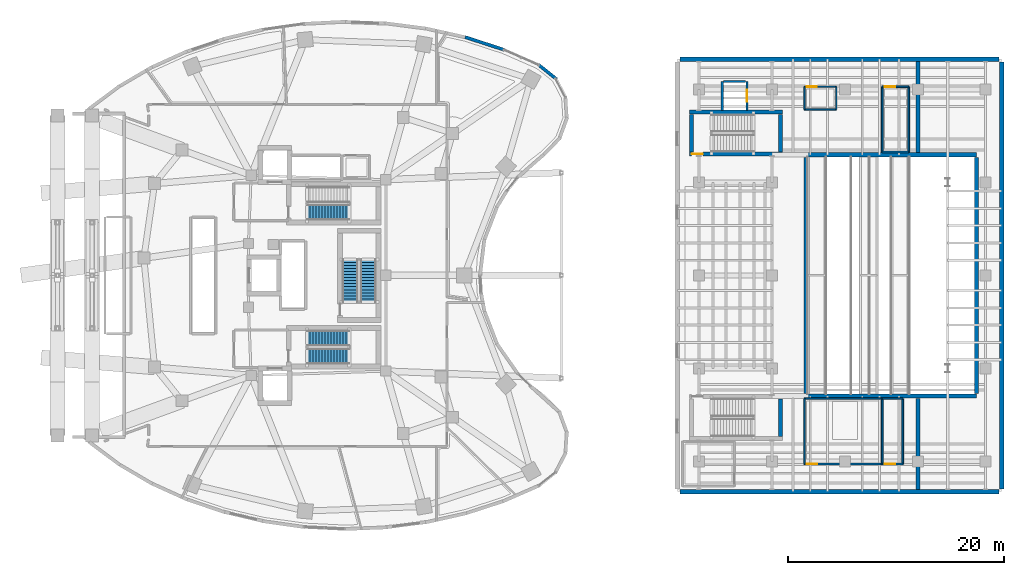
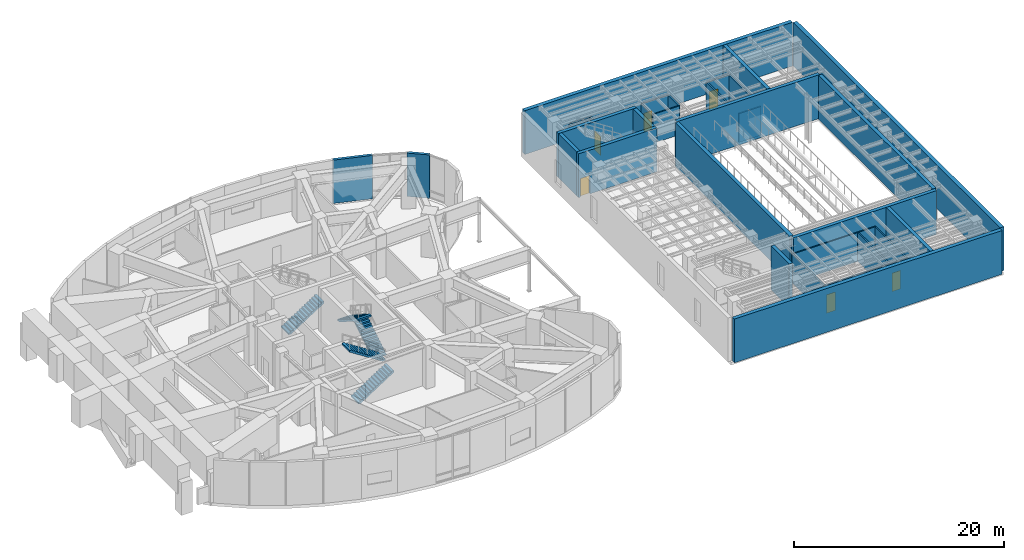
# One storey, part 18 of 23: 34 walls, 6 doors, 5 stair flights, 6 openings, 3 elements without a shape of their own.
"""IFC4 building model written with IfcOpenShell, lengths in metres."""

from ifc_helpers import new_model, si_unit, direction, frame, frame_2d, origin, place, context, subcontext, project, spatial, polyline, rectangle, outline, extrude, material, layer, layer_set, type_object, element, fill, aggregate, save


model = new_model("IFC4")

# Units and contexts
model_context = context("Model", 3, precision=1e-05, world=origin(), true_north=direction((0.0, 1.0)))
body_context = subcontext(model_context, "Body", "Model", "MODEL_VIEW")
ifc_project = project(units=[si_unit("LENGTHUNIT", "METRE"), si_unit("AREAUNIT", "SQUARE_METRE"), si_unit("VOLUMEUNIT", "CUBIC_METRE"), si_unit("PLANEANGLEUNIT", "RADIAN"), si_unit("MASSUNIT", "GRAM", prefix="KILO")], contexts=[model_context])

# Site, building, storey
site_placement = place(None, origin())
site = spatial("IfcSite", under=ifc_project, at=site_placement, CompositionType="ELEMENT")
building_placement = place(site_placement, origin())
building = spatial("IfcBuilding", under=site, at=building_placement, Name="Korentha Bioscience Tower", CompositionType="ELEMENT")
storey_placement = place(building_placement, frame((0.0, 0.0, 15.0)))
storey = spatial("IfcBuildingStorey", under=building, at=storey_placement, Name="L03", CompositionType="ELEMENT", Elevation=15.0)

# Wall, opening, door
ifc_material_1 = material(Name="Double-Stud Acoustic Gypsum", Category="gypsum")
ifc_layer_1 = layer(ifc_material_1, 0.14990234375, Name="Double-Stud Acoustic Gypsum")
ifc_layer_set_1 = layer_set([ifc_layer_1], Name="Double-Stud Acoustic Gypsum (IW-L150)")
wall_type_1 = type_object("IfcWallType", Name="Acoustic Laboratory Partition Wall 150", PredefinedType="PARTITIONING", material=ifc_layer_set_1)
wall_1_placement = place(storey_placement, frame((83.449951171875, 9.56005859375, 0.0), z_axis=(0.0, 0.0, 1.0), x_axis=(-1.0, 0.0, 0.0)))
wall_1 = element("IfcWall", 1, at=wall_1_placement, inside=storey, type_object=wall_type_1, Name="L03 L03 Soloists' Dressing Suite Entrance Wall", PredefinedType="PARTITIONING", context=body_context, shape_type="SweptSolid", body=[
    extrude(rectangle(XDim=7.199951171875, YDim=0.14990234375, at=frame_2d((3.60009765625, 0.0))), origin(), (0.0, 0.0, 1.0), 3.360107421875),
])
opening_1_placement = place(wall_1_placement, frame((6.010009765625, 0.0, 0.0)))
opening_1 = element("IfcOpeningElement", 2, at=opening_1_placement, cuts=wall_1, Name="Opening ID-10R", PredefinedType="OPENING", context=body_context, shape_type="SweptSolid", body=[
    extrude(rectangle(XDim=0.949951171875, YDim=2.14990234375, at=frame_2d((0.47509765625, 1.074951171875))), frame((0.0, 0.08984375, 0.0), z_axis=(0.0, -1.0, 0.0), x_axis=(1.0, 0.0, 0.0)), (0.0, 0.0, 1.0), 0.1796875),
])
ifc_material_2 = material(Name="Phenolic Laminate Timber Core", Category="wood")
door_type_1 = type_object("IfcDoorType", Name="Laboratory Single Leaf Door 950x2150 Right", OperationType="SINGLE_SWING_RIGHT", PredefinedType="DOOR", material=ifc_material_2)
door_1_placement = place(opening_1_placement, origin())
door_1 = element("IfcDoor", 3, at=door_1_placement, inside=storey, type_object=door_type_1, Name="L03 L03 Soloists' Dressing Suite Door", OperationType="SINGLE_SWING_RIGHT", OverallHeight=2.14990234375, OverallWidth=0.949951171875, PredefinedType="DOOR", context=body_context, shape_type="SweptSolid", body=[
    extrude(rectangle(XDim=0.949951171875, YDim=2.14990234375, at=frame_2d((0.47509765625, 1.074951171875))), frame((0.0, 0.02490234375, 0.0), z_axis=(0.0, -1.0, 0.0), x_axis=(1.0, 0.0, 0.0)), (0.0, 0.0, 1.0), 0.050048828125),
])
fill(opening_1, door_1)

wall_2_placement = place(storey_placement, frame((85.35009765625, 9.56005859375, 0.0), z_axis=(0.0, 0.0, 1.0), x_axis=(-1.0, 0.0, 0.0)))
wall_2 = element("IfcWall", 4, at=wall_2_placement, inside=storey, type_object=wall_type_1, Name="L03 L03 Ensemble Rehearsal Studio Entrance Wall", PredefinedType="PARTITIONING", context=body_context, shape_type="SweptSolid", body=[
    extrude(rectangle(XDim=1.89013671875, YDim=0.14990234375, at=frame_2d((0.945068359375, 0.0))), origin(), (0.0, 0.0, 1.0), 3.360107421875),
])
opening_2_placement = place(wall_2_placement, frame((0.699951171875, 0.0, 0.0)))
opening_2 = element("IfcOpeningElement", 5, at=opening_2_placement, cuts=wall_2, Name="Opening ID-10L", PredefinedType="OPENING", context=body_context, shape_type="SweptSolid", body=[
    extrude(rectangle(XDim=0.949951171875, YDim=2.14990234375, at=frame_2d((0.47509765625, 1.074951171875))), frame((0.0, 0.08984375, 0.0), z_axis=(0.0, -1.0, 0.0), x_axis=(1.0, 0.0, 0.0)), (0.0, 0.0, 1.0), 0.1796875),
])
door_type_2 = type_object("IfcDoorType", Name="Laboratory Single Leaf Door 950x2150 Left", OperationType="SINGLE_SWING_LEFT", PredefinedType="DOOR", material=ifc_material_2)
door_2_placement = place(opening_2_placement, origin())
door_2 = element("IfcDoor", 6, at=door_2_placement, inside=storey, type_object=door_type_2, Name="L03 L03 Ensemble Rehearsal Studio Door", OperationType="SINGLE_SWING_LEFT", OverallHeight=2.14990234375, OverallWidth=0.949951171875, PredefinedType="DOOR", context=body_context, shape_type="SweptSolid", body=[
    extrude(rectangle(XDim=0.949951171875, YDim=2.14990234375, at=frame_2d((0.47509765625, 1.074951171875))), frame((0.0, 0.02490234375, 0.0), z_axis=(0.0, -1.0, 0.0), x_axis=(1.0, 0.0, 0.0)), (0.0, 0.0, 1.0), 0.050048828125),
])
fill(opening_2, door_2)

# Walls
for number, where, z_axis, x_axis, name in (
    (7, (83.449951171875, 15.60009765625, 0.0), (0.0, 0.0, 1.0), (0.0, -1.0, 0.0), "L03 Interior Partition 047"),
    (8, (76.25, 9.56005859375, 0.0), (0.0, 0.0, 1.0), (0.0, 1.0, 0.0), "L03 Interior Partition 048"),
):
    element("IfcWall", number, at=place(storey_placement, frame(where, z_axis=z_axis, x_axis=x_axis)), inside=storey, type_object=wall_type_1, Name=name, PredefinedType="PARTITIONING", context=body_context, shape_type="SweptSolid", body=[
        extrude(rectangle(XDim=6.0400390625, YDim=0.14990234375, at=frame_2d((3.02001953125, 0.0))), origin(), (0.0, 0.0, 1.0), 3.360107421875),
    ])
wall_3_placement = place(storey_placement, frame((76.25, 15.60009765625, 0.0), z_axis=(0.0, 0.0, 1.0), x_axis=(1.0, 0.0, 0.0)))
element("IfcWall", 9, at=wall_3_placement, inside=storey, type_object=wall_type_1, Name="L03 Interior Partition 049", PredefinedType="PARTITIONING", context=body_context, shape_type="SweptSolid", body=[
    extrude(rectangle(XDim=7.199951171875, YDim=0.14990234375, at=frame_2d((3.60009765625, 0.0))), origin(), (0.0, 0.0, 1.0), 3.360107421875),
])
wall_4_placement = place(storey_placement, frame((85.35009765625, 15.60009765625, 0.0), z_axis=(0.0, 0.0, 1.0), x_axis=(0.0, -1.0, 0.0)))
element("IfcWall", 10, at=wall_4_placement, inside=storey, type_object=wall_type_1, Name="L03 Interior Partition 050", PredefinedType="PARTITIONING", context=body_context, shape_type="SweptSolid", body=[
    extrude(rectangle(XDim=6.0400390625, YDim=0.14990234375, at=frame_2d((3.02001953125, 0.0))), origin(), (0.0, 0.0, 1.0), 3.360107421875),
])
wall_5_placement = place(storey_placement, frame((83.4599609375, 15.60009765625, 0.0), z_axis=(0.0, 0.0, 1.0), x_axis=(1.0, 0.0, 0.0)))
element("IfcWall", 11, at=wall_5_placement, inside=storey, type_object=wall_type_1, Name="L03 Interior Partition 051", PredefinedType="PARTITIONING", context=body_context, shape_type="SweptSolid", body=[
    extrude(rectangle(XDim=1.89013671875, YDim=0.14990234375, at=frame_2d((0.945068359375, 0.0))), origin(), (0.0, 0.0, 1.0), 3.360107421875),
])

# Wall, opening, door
ifc_material_3 = material(Name="Gypsum-Clad Steel Stud", Category="steel")
ifc_layer_2 = layer(ifc_material_3, 0.159912109375, Name="Gypsum-Clad Steel Stud")
ifc_layer_set_2 = layer_set([ifc_layer_2], Name="Gypsum-Clad Steel Stud (IW-C160)")
wall_type_2 = type_object("IfcWallType", Name="Fire-Rated Corridor Partition Wall 160", PredefinedType="PARTITIONING", material=ifc_layer_set_2)
wall_6_placement = place(storey_placement, frame((83.449951171875, 44.43994140625, 0.0), z_axis=(0.0, 0.0, 1.0), x_axis=(1.0, 0.0, 0.0)))
wall_6 = element("IfcWall", 12, at=wall_6_placement, inside=storey, type_object=wall_type_2, Name="L03 L03 Stage Lighting Dimmer Store Entrance Wall", PredefinedType="PARTITIONING", context=body_context, shape_type="SweptSolid", body=[
    extrude(rectangle(XDim=2.449951171875, YDim=0.159912109375, at=frame_2d((1.22509765625, 0.0))), origin(), (0.0, 0.0, 1.0), 3.360107421875),
])
opening_3_placement = place(wall_6_placement, frame((0.239990234375, 0.0, 0.0)))
opening_3 = element("IfcOpeningElement", 13, at=opening_3_placement, cuts=wall_6, Name="Opening ID-10R", PredefinedType="OPENING", context=body_context, shape_type="SweptSolid", body=[
    extrude(rectangle(XDim=0.949951171875, YDim=2.14990234375, at=frame_2d((0.47509765625, 1.074951171875))), frame((0.0, 0.0947265625, 0.0), z_axis=(0.0, -1.0, 0.0), x_axis=(1.0, 0.0, 0.0)), (0.0, 0.0, 1.0), 0.189697265625),
])
door_3_placement = place(opening_3_placement, origin())
door_3 = element("IfcDoor", 14, at=door_3_placement, inside=storey, type_object=door_type_1, Name="L03 L03 Stage Lighting Dimmer Store Door", OperationType="SINGLE_SWING_RIGHT", OverallHeight=2.14990234375, OverallWidth=0.949951171875, PredefinedType="DOOR", context=body_context, shape_type="SweptSolid", body=[
    extrude(rectangle(XDim=0.949951171875, YDim=2.14990234375, at=frame_2d((0.47509765625, 1.074951171875))), frame((0.0, 0.02490234375, 0.0), z_axis=(0.0, -1.0, 0.0), x_axis=(1.0, 0.0, 0.0)), (0.0, 0.0, 1.0), 0.050048828125),
])
fill(opening_3, door_3)

# Walls
wall_7_placement = place(storey_placement, frame((85.89990234375, 38.39990234375, 0.0), z_axis=(0.0, 0.0, 1.0), x_axis=(-1.0, 0.0, 0.0)))
element("IfcWall", 15, at=wall_7_placement, inside=storey, type_object=wall_type_2, Name="L03 Interior Partition 052", PredefinedType="PARTITIONING", context=body_context, shape_type="SweptSolid", body=[
    extrude(rectangle(XDim=2.449951171875, YDim=0.159912109375, at=frame_2d((1.22509765625, 0.0))), origin(), (0.0, 0.0, 1.0), 3.360107421875),
])
for number, where, z_axis, x_axis, name in (
    (16, (83.449951171875, 38.39990234375, 0.0), (0.0, 0.0, 1.0), (0.0, 1.0, 0.0), "L03 Interior Partition 053"),
    (17, (85.89990234375, 44.43994140625, 0.0), (0.0, 0.0, 1.0), (0.0, -1.0, 0.0), "L03 Interior Partition 054"),
):
    element("IfcWall", number, at=place(storey_placement, frame(where, z_axis=z_axis, x_axis=x_axis)), inside=storey, type_object=wall_type_2, Name=name, PredefinedType="PARTITIONING", context=body_context, shape_type="SweptSolid", body=[
        extrude(rectangle(XDim=6.0400390625, YDim=0.159912109375, at=frame_2d((3.02001953125, 0.0))), origin(), (0.0, 0.0, 1.0), 3.360107421875),
    ])
ifc_material_4 = material(Name="Honed Limestone Precast Concrete C40", Category="masonry")
ifc_layer_3 = layer(ifc_material_4, 0.300048828125, Name="Honed Limestone Precast Concrete C40")
ifc_layer_set_3 = layer_set([ifc_layer_3], Name="Honed Limestone Precast Concrete C40 (EW-ST300)")
wall_type_3 = type_object("IfcWallType", Name="Honed Limestone Cavity Spandrel Wall 300", PredefinedType="STANDARD", material=ifc_layer_set_3)
wall_8_placement = place(storey_placement, frame((48.524658203125, 47.84912109375, 0.0), z_axis=(0.0, 0.0, 1.0), x_axis=(-0.950965833732, 0.309295947393, 0.0)))
element("IfcWall", 18, at=wall_8_placement, inside=storey, type_object=wall_type_3, Name="L03 Limestone Perimeter Closure Wall 02", PredefinedType="STANDARD", context=body_context, shape_type="SweptSolid", body=[
    extrude(rectangle(XDim=3.840087890625, YDim=0.300048828125, at=frame_2d((1.919921875, 0.0))), origin(), (0.0, 0.0, 1.0), 5.050048828125),
])
wall_9_placement = place(storey_placement, frame((53.343994140625, 45.142822265625, 0.0), z_axis=(0.0, 0.0, 1.0), x_axis=(-0.782282158644, 0.622924252432, 0.0)))
element("IfcWall", 19, at=wall_9_placement, inside=storey, type_object=wall_type_3, Name="L03 Limestone Perimeter Closure Wall 62", PredefinedType="STANDARD", context=body_context, shape_type="SweptSolid", body=[
    extrude(rectangle(XDim=2.187744140625, YDim=0.300048828125, at=frame_2d((1.09375, 0.0))), origin(), (0.0, 0.0, 1.0), 5.050048828125),
])
ifc_material_5 = material(Name="Autoclaved Aerated Concrete Block C25", Category="concrete")
ifc_layer_4 = layer(ifc_material_5, 0.199951171875, Name="Autoclaved Aerated Concrete Block C25")
ifc_layer_set_4 = layer_set([ifc_layer_4], Name="Autoclaved Aerated Concrete Block C25 (IW-S200)")
wall_type_4 = type_object("IfcWallType", Name="Lift and Riser Shaft Enclosure Wall 200", PredefinedType="PARTITIONING", material=ifc_layer_set_4)
wall_10_placement = place(storey_placement, frame((68.659912109375, 42.260009765625, 0.0), z_axis=(0.0, 0.0, 1.0), x_axis=(0.0, 1.0, 0.0)))
element("IfcWall", 20, at=wall_10_placement, inside=storey, type_object=wall_type_4, Name="L03 Lift Bank LT1 Shaft Wall -X", PredefinedType="PARTITIONING", context=body_context, shape_type="SweptSolid", body=[
    extrude(rectangle(XDim=2.679931640625, YDim=0.199951171875, at=frame_2d((1.33984375, 0.0))), origin(), (0.0, 0.0, 1.0), 3.360107421875),
])

# Wall, opening, door
wall_11_placement = place(storey_placement, frame((70.93994140625, 42.260009765625, 0.0), z_axis=(0.0, 0.0, 1.0), x_axis=(0.0, 1.0, 0.0)))
wall_11 = element("IfcWall", 21, at=wall_11_placement, inside=storey, type_object=wall_type_4, Name="L03 Lift Bank LT1 Shaft Wall +X", PredefinedType="PARTITIONING", context=body_context, shape_type="SweptSolid", body=[
    extrude(rectangle(XDim=2.679931640625, YDim=0.199951171875, at=frame_2d((1.33984375, 0.0))), origin(), (0.0, 0.0, 1.0), 3.360107421875),
])
opening_4_placement = place(wall_11_placement, frame((0.7900390625, 0.0, 0.0)))
opening_4 = element("IfcOpeningElement", 22, at=opening_4_placement, cuts=wall_11, Name="Opening LD-11", PredefinedType="OPENING", context=body_context, shape_type="SweptSolid", body=[
    extrude(rectangle(XDim=1.10009765625, YDim=2.199951171875, at=frame_2d((0.550048828125, 1.10009765625))), frame((0.0, 0.11474609375, 0.0), z_axis=(0.0, -1.0, 0.0), x_axis=(1.0, 0.0, 0.0)), (0.0, 0.0, 1.0), 0.229736328125),
])
ifc_material_6 = material(Name="Brushed Stainless Steel 304", Category="steel")
door_type_3 = type_object("IfcDoorType", Name="Passenger Lift Sliding Landing Door 1100x2200", OperationType="DOUBLE_DOOR_SLIDING", PredefinedType="DOOR", material=ifc_material_6)
door_4_placement = place(opening_4_placement, origin())
door_4 = element("IfcDoor", 23, at=door_4_placement, inside=storey, type_object=door_type_3, Name="L03 LT-1 Sliding Lift Landing Door", OperationType="DOUBLE_DOOR_SLIDING", OverallHeight=2.199951171875, OverallWidth=1.10009765625, PredefinedType="DOOR", context=body_context, shape_type="SweptSolid", body=[
    extrude(rectangle(XDim=1.10009765625, YDim=2.199951171875, at=frame_2d((0.550048828125, 1.10009765625))), frame((0.0, 0.02490234375, 0.0), z_axis=(0.0, -1.0, 0.0), x_axis=(1.0, 0.0, 0.0)), (0.0, 0.0, 1.0), 0.050048828125),
])
fill(opening_4, door_4)

# Walls
wall_12_placement = place(storey_placement, frame((68.780029296875, 44.93994140625, 0.0), z_axis=(0.0, 0.0, 1.0), x_axis=(1.0, 0.0, 0.0)))
element("IfcWall", 24, at=wall_12_placement, inside=storey, type_object=wall_type_4, Name="L03 Lift Bank LT1 Shaft Wall +Y", PredefinedType="PARTITIONING", context=body_context, shape_type="SweptSolid", body=[
    extrude(rectangle(XDim=2.0400390625, YDim=0.199951171875, at=frame_2d((1.02001953125, 0.0))), origin(), (0.0, 0.0, 1.0), 3.360107421875),
])
ifc_material_7 = material(Name="Concrete C50", Category="concrete")
ifc_layer_5 = layer(ifc_material_7, 0.419921875, Name="Concrete C50")
ifc_layer_set_5 = layer_set([ifc_layer_5], Name="Concrete C50 (TW-E420)")
wall_type_5 = type_object("IfcWallType", Name="Theatre Acoustic Shear Wall 420", PredefinedType="SHEAR", material=ifc_layer_set_5)
wall_13_placement = place(storey_placement, frame((64.75, 47.0, 0.0), z_axis=(0.0, 0.0, 1.0), x_axis=(1.0, 0.0, 0.0)))
element("IfcWall", 25, at=wall_13_placement, inside=storey, type_object=wall_type_5, Name="L03 Theatre Acoustic Shear Wall N", PredefinedType="SHEAR", context=body_context, shape_type="SweptSolid", body=[
    extrude(rectangle(XDim=29.5, YDim=0.419921875, at=frame_2d((14.75, 0.0))), origin(), (0.0, 0.0, 1.0), 5.10009765625),
])
wall_14_placement = place(storey_placement, frame((94.5, 46.75, 0.0), z_axis=(0.0, 0.0, 1.0), x_axis=(0.0, -1.0, 0.0)))
element("IfcWall", 26, at=wall_14_placement, inside=storey, type_object=wall_type_5, Name="L03 Theatre Acoustic Shear Wall E", PredefinedType="SHEAR", context=body_context, shape_type="SweptSolid", body=[
    extrude(rectangle(XDim=39.5, YDim=0.419921875, at=frame_2d((19.75, 0.0))), origin(), (0.0, 0.0, 1.0), 5.10009765625),
])
wall_15_placement = place(storey_placement, frame((94.25, 7.0, 0.0), z_axis=(0.0, 0.0, 1.0), x_axis=(-1.0, 0.0, 0.0)))
element("IfcWall", 27, at=wall_15_placement, inside=storey, type_object=wall_type_5, Name="L03 Theatre Acoustic Shear Wall S", PredefinedType="SHEAR", context=body_context, shape_type="SweptSolid", body=[
    extrude(rectangle(XDim=29.5, YDim=0.419921875, at=frame_2d((14.75, 0.0))), origin(), (0.0, 0.0, 1.0), 5.10009765625),
])
ifc_layer_6 = layer(ifc_material_7, 0.3798828125, Name="Concrete C50")
ifc_layer_set_6 = layer_set([ifc_layer_6], Name="Concrete C50 (TW-I380)")
wall_type_6 = type_object("IfcWallType", Name="Theatre Proscenium Shear Wall 380", PredefinedType="SHEAR", material=ifc_layer_set_6)
for number, where, z_axis, x_axis, name in (
    (28, (86.75, 38.3798828125, 0.0), (0.0, 0.0, 1.0), (0.0, 1.0, 0.0), "L03 Theatre Shear Wall PROSC-N"),
    (29, (86.75, 7.2099609375, 0.0), (0.0, 0.0, 1.0), (0.0, 1.0, 0.0), "L03 Theatre Shear Wall PROSC-S"),
):
    element("IfcWall", number, at=place(storey_placement, frame(where, z_axis=z_axis, x_axis=x_axis)), inside=storey, type_object=wall_type_6, Name=name, PredefinedType="SHEAR", context=body_context, shape_type="SweptSolid", body=[
        extrude(rectangle(XDim=8.41015625, YDim=0.3798828125, at=frame_2d((4.205078125, 0.0))), origin(), (0.0, 0.0, 1.0), 5.10009765625),
    ])
for number, where, z_axis, x_axis, name in (
    (30, (76.39990234375, 15.85009765625, 0.0), (0.0, 0.0, 1.0), (1.0, 0.0, 0.0), "L03 Theatre Shear Wall ACSH-S1"),
    (31, (76.39990234375, 38.14990234375, 0.0), (0.0, 0.0, 1.0), (1.0, 0.0, 0.0), "L03 Theatre Shear Wall ACSH-N1"),
):
    element("IfcWall", number, at=place(storey_placement, frame(where, z_axis=z_axis, x_axis=x_axis)), inside=storey, type_object=wall_type_6, Name=name, PredefinedType="SHEAR", context=body_context, shape_type="SweptSolid", body=[
        extrude(rectangle(XDim=15.75, YDim=0.3798828125, at=frame_2d((7.875, 0.0))), origin(), (0.0, 0.0, 1.0), 5.10009765625),
    ])
for number, where, z_axis, x_axis, name in (
    (32, (92.14990234375, 16.080078125, 0.0), (0.0, 0.0, 1.0), (0.0, 1.0, 0.0), "L03 Theatre Shear Wall FLY-E"),
    (33, (76.39990234375, 16.080078125, 0.0), (0.0, 0.0, 1.0), (0.0, 1.0, 0.0), "L03 Theatre Shear Wall ACSH-W"),
):
    element("IfcWall", number, at=place(storey_placement, frame(where, z_axis=z_axis, x_axis=x_axis)), inside=storey, type_object=wall_type_6, Name=name, PredefinedType="SHEAR", context=body_context, shape_type="SweptSolid", body=[
        extrude(rectangle(XDim=21.83984375, YDim=0.3798828125, at=frame_2d((10.919921875, 0.0))), origin(), (0.0, 0.0, 1.0), 5.10009765625),
    ])
wall_16_placement = place(storey_placement, frame((74.0400390625, 12.110107421875, 0.0), z_axis=(0.0, 0.0, 1.0), x_axis=(0.0, 1.0, 0.0)))
element("IfcWall", 34, at=wall_16_placement, inside=storey, type_object=wall_type_6, Name="L03 Theatre Shear Wall STT1-E", PredefinedType="SHEAR", context=body_context, shape_type="SweptSolid", body=[
    extrude(rectangle(XDim=3.47998046875, YDim=0.3798828125, at=frame_2d((1.739990234375, 0.0))), origin(), (0.0, 0.0, 1.0), 5.10009765625),
])

# Wall, opening, door
wall_17_placement = place(storey_placement, frame((65.6201171875, 38.2099609375, 0.0), z_axis=(0.0, 0.0, 1.0), x_axis=(1.0, 0.0, 0.0)))
wall_17 = element("IfcWall", 35, at=wall_17_placement, inside=storey, type_object=wall_type_6, Name="L03 Theatre Shear Wall STT2-S", PredefinedType="SHEAR", context=body_context, shape_type="SweptSolid", body=[
    extrude(rectangle(XDim=8.60986328125, YDim=0.3798828125, at=frame_2d((4.304931640625, 0.0))), origin(), (0.0, 0.0, 1.0), 5.10009765625),
])
opening_5_placement = place(wall_17_placement, frame((0.199951171875, 0.0, 0.0)))
opening_5 = element("IfcOpeningElement", 36, at=opening_5_placement, cuts=wall_17, Name="Opening FD-90L", PredefinedType="OPENING", context=body_context, shape_type="SweptSolid", body=[
    extrude(rectangle(XDim=1.050048828125, YDim=2.14990234375, at=frame_2d((0.52490234375, 1.074951171875))), frame((0.0, 0.204833984375, 0.0), z_axis=(0.0, -1.0, 0.0), x_axis=(1.0, 0.0, 0.0)), (0.0, 0.0, 1.0), 0.40966796875),
])
ifc_material_8 = material(Name="Powder-Coated Fire-Rated Steel", Category="steel")
door_type_4 = type_object("IfcDoorType", Name="Stairwell Fire Exit Door 1050x2150 Left", OperationType="SINGLE_SWING_LEFT", PredefinedType="DOOR", material=ifc_material_8)
door_5_placement = place(opening_5_placement, origin())
door_5 = element("IfcDoor", 37, at=door_5_placement, inside=storey, type_object=door_type_4, Name="L03 ST-T2 Fire Exit Stair Door", OperationType="SINGLE_SWING_LEFT", OverallHeight=2.14990234375, OverallWidth=1.050048828125, PredefinedType="DOOR", context=body_context, shape_type="SweptSolid", body=[
    extrude(rectangle(XDim=1.050048828125, YDim=2.14990234375, at=frame_2d((0.52490234375, 1.074951171875))), frame((0.0, 0.02490234375, 0.0), z_axis=(0.0, -1.0, 0.0), x_axis=(1.0, 0.0, 0.0)), (0.0, 0.0, 1.0), 0.050048828125),
])
fill(opening_5, door_5)

# Walls
wall_18_placement = place(storey_placement, frame((65.6201171875, 42.090087890625, 0.0), z_axis=(0.0, 0.0, 1.0), x_axis=(1.0, 0.0, 0.0)))
element("IfcWall", 38, at=wall_18_placement, inside=storey, type_object=wall_type_6, Name="L03 Theatre Shear Wall STT2-N", PredefinedType="SHEAR", context=body_context, shape_type="SweptSolid", body=[
    extrude(rectangle(XDim=8.60986328125, YDim=0.3798828125, at=frame_2d((4.304931640625, 0.0))), origin(), (0.0, 0.0, 1.0), 5.10009765625),
])
for number, where, z_axis, x_axis, name in (
    (39, (74.0400390625, 38.409912109375, 0.0), (0.0, 0.0, 1.0), (0.0, 1.0, 0.0), "L03 Theatre Shear Wall STT2-E"),
    (40, (65.81005859375, 38.409912109375, 0.0), (0.0, 0.0, 1.0), (0.0, 1.0, 0.0), "L03 Theatre Shear Wall STT2-W"),
):
    element("IfcWall", number, at=place(storey_placement, frame(where, z_axis=z_axis, x_axis=x_axis)), inside=storey, type_object=wall_type_6, Name=name, PredefinedType="SHEAR", context=body_context, shape_type="SweptSolid", body=[
        extrude(rectangle(XDim=3.47998046875, YDim=0.3798828125, at=frame_2d((1.739990234375, 0.0))), origin(), (0.0, 0.0, 1.0), 5.10009765625),
    ])

# Wall, opening, door
ifc_material_9 = material(Name="Cement-Board Steel Stud", Category="steel")
ifc_layer_7 = layer(ifc_material_9, 0.1298828125, Name="Cement-Board Steel Stud")
ifc_layer_set_7 = layer_set([ifc_layer_7], Name="Cement-Board Steel Stud (IW-W130)")
wall_type_7 = type_object("IfcWallType", Name="Wet-Area Moisture-Resistant Partition 130", PredefinedType="PARTITIONING", material=ifc_layer_set_7)
wall_19_placement = place(storey_placement, frame((76.25, 44.43994140625, 0.0), z_axis=(0.0, 0.0, 1.0), x_axis=(1.0, 0.0, 0.0)))
wall_19 = element("IfcWall", 41, at=wall_19_placement, inside=storey, type_object=wall_type_7, Name="L03 L03 Theatre Accessible WC Entrance Wall", PredefinedType="PARTITIONING", context=body_context, shape_type="SweptSolid", body=[
    extrude(rectangle(XDim=2.949951171875, YDim=0.1298828125, at=frame_2d((1.47509765625, 0.0))), origin(), (0.0, 0.0, 1.0), 3.360107421875),
])
opening_6_placement = place(wall_19_placement, frame((0.239990234375, 0.0, 0.0)))
opening_6 = element("IfcOpeningElement", 42, at=opening_6_placement, cuts=wall_19, Name="Opening ID-09L", PredefinedType="OPENING", context=body_context, shape_type="SweptSolid", body=[
    extrude(rectangle(XDim=0.89990234375, YDim=2.14990234375, at=frame_2d((0.449951171875, 1.074951171875))), frame((0.0, 0.079833984375, 0.0), z_axis=(0.0, -1.0, 0.0), x_axis=(1.0, 0.0, 0.0)), (0.0, 0.0, 1.0), 0.15966796875),
])
ifc_material_10 = material(Name="Moisture-Resistant HPL Leaf", Category="wood")
door_type_5 = type_object("IfcDoorType", Name="Restroom & Accessible WC Door 900x2150 Left", OperationType="SINGLE_SWING_LEFT", PredefinedType="DOOR", material=ifc_material_10)
door_6_placement = place(opening_6_placement, origin())
door_6 = element("IfcDoor", 43, at=door_6_placement, inside=storey, type_object=door_type_5, Name="L03 L03 Theatre Accessible WC Door", OperationType="SINGLE_SWING_LEFT", OverallHeight=2.14990234375, OverallWidth=0.89990234375, PredefinedType="DOOR", context=body_context, shape_type="SweptSolid", body=[
    extrude(rectangle(XDim=0.89990234375, YDim=2.14990234375, at=frame_2d((0.449951171875, 1.074951171875))), frame((0.0, 0.02490234375, 0.0), z_axis=(0.0, -1.0, 0.0), x_axis=(1.0, 0.0, 0.0)), (0.0, 0.0, 1.0), 0.050048828125),
])
fill(opening_6, door_6)

# Walls
wall_20_placement = place(storey_placement, frame((79.199951171875, 42.35009765625, 0.0), z_axis=(0.0, 0.0, 1.0), x_axis=(-1.0, 0.0, 0.0)))
element("IfcWall", 44, at=wall_20_placement, inside=storey, type_object=wall_type_7, Name="L03 Interior Partition 044", PredefinedType="PARTITIONING", context=body_context, shape_type="SweptSolid", body=[
    extrude(rectangle(XDim=2.949951171875, YDim=0.1298828125, at=frame_2d((1.47509765625, 0.0))), origin(), (0.0, 0.0, 1.0), 3.360107421875),
])
for number, where, z_axis, x_axis, name in (
    (45, (76.25, 42.35009765625, 0.0), (0.0, 0.0, 1.0), (0.0, 1.0, 0.0), "L03 Interior Partition 045"),
    (46, (79.199951171875, 44.43994140625, 0.0), (0.0, 0.0, 1.0), (0.0, -1.0, 0.0), "L03 Interior Partition 046"),
):
    element("IfcWall", number, at=place(storey_placement, frame(where, z_axis=z_axis, x_axis=x_axis)), inside=storey, type_object=wall_type_7, Name=name, PredefinedType="PARTITIONING", context=body_context, shape_type="SweptSolid", body=[
        extrude(rectangle(XDim=2.08984375, YDim=0.1298828125, at=frame_2d((1.044921875, 0.0))), origin(), (0.0, 0.0, 1.0), 3.360107421875),
    ])

# Stair, stair flight
ifc_material_11 = material(Name="Precast Concrete C50", Category="concrete")
stair_type = type_object("IfcStairType", Name="Core Exit Dog-Leg Stair 1450", PredefinedType="HALF_TURN_STAIR", material=ifc_material_11)
stair_1_placement = place(storey_placement, origin())
stair_1 = element("IfcStair", 47, at=stair_1_placement, inside=storey, type_object=stair_type, Name="L03 Tower North Pressurized Exit Stair ST-1", PredefinedType="HALF_TURN_STAIR")
stair_flight_type = type_object("IfcStairFlightType", Name="Core Exit Dog-Leg Stair 1450 Flight", PredefinedType="STRAIGHT", material=ifc_material_11)
stair_flight_1_placement = place(storey_placement, frame((30.25, 32.824951171875, 0.0), z_axis=(0.0, 0.0, 1.0), x_axis=(1.0, 0.0, 0.0)))
stair_flight_1 = element("IfcStairFlight", 48, at=stair_flight_1_placement, type_object=stair_flight_type, Name="ST-1 flight 1", NumberOfRisers=15, NumberOfTreads=14, PredefinedType="STRAIGHT", RiserHeight=0.18, TreadLength=0.28, context=body_context, shape_type="SweptSolid", body=[
    extrude(outline(polyline([(0.0, 0.0), (0.0, 0.179931640625), (0.280029296875, 0.179931640625), (0.280029296875, 0.360107421875), (0.56005859375, 0.360107421875), (0.56005859375, 0.5400390625), (0.840087890625, 0.5400390625), (0.840087890625, 0.719970703125), (1.1201171875, 0.719970703125), (1.1201171875, 0.89990234375), (1.39990234375, 0.89990234375), (1.39990234375, 1.080078125), (1.679931640625, 1.080078125), (1.679931640625, 1.260009765625), (1.9599609375, 1.260009765625), (1.9599609375, 1.43994140625), (2.239990234375, 1.43994140625), (2.239990234375, 1.6201171875), (2.52001953125, 1.6201171875), (2.52001953125, 1.800048828125), (2.800048828125, 1.800048828125), (2.800048828125, 1.97998046875), (3.080078125, 1.97998046875), (3.080078125, 2.159912109375), (3.360107421875, 2.159912109375), (3.360107421875, 2.340087890625), (3.639892578125, 2.340087890625), (3.639892578125, 2.52001953125), (3.919921875, 2.52001953125), (3.919921875, 2.699951171875), (3.919921875, 2.329833984375), (0.295654296875, 0.0), (0.0, 0.0)])), frame((0.0, 0.72509765625, 0.0), z_axis=(0.0, -1.0, 0.0), x_axis=(1.0, 0.0, 0.0)), (0.0, 0.0, 1.0), 1.449951171875),
])
aggregate(stair_1, [stair_flight_1])

# Stair, stair flights
stair_2_placement = place(storey_placement, origin())
stair_2 = element("IfcStair", 49, at=stair_2_placement, inside=storey, type_object=stair_type, Name="L03 Tower South Pressurized Exit Stair ST-2", PredefinedType="HALF_TURN_STAIR")
stair_flight_2_placement = place(storey_placement, frame((30.25, 19.52490234375, 0.0), z_axis=(0.0, 0.0, 1.0), x_axis=(1.0, 0.0, 0.0)))
stair_flight_2 = element("IfcStairFlight", 50, at=stair_flight_2_placement, type_object=stair_flight_type, Name="ST-2 flight 1", NumberOfRisers=15, NumberOfTreads=14, PredefinedType="STRAIGHT", RiserHeight=0.18, TreadLength=0.28, context=body_context, shape_type="SweptSolid", body=[
    extrude(outline(polyline([(0.0, 0.0), (0.0, 0.179931640625), (0.280029296875, 0.179931640625), (0.280029296875, 0.360107421875), (0.56005859375, 0.360107421875), (0.56005859375, 0.5400390625), (0.840087890625, 0.5400390625), (0.840087890625, 0.719970703125), (1.1201171875, 0.719970703125), (1.1201171875, 0.89990234375), (1.39990234375, 0.89990234375), (1.39990234375, 1.080078125), (1.679931640625, 1.080078125), (1.679931640625, 1.260009765625), (1.9599609375, 1.260009765625), (1.9599609375, 1.43994140625), (2.239990234375, 1.43994140625), (2.239990234375, 1.6201171875), (2.52001953125, 1.6201171875), (2.52001953125, 1.800048828125), (2.800048828125, 1.800048828125), (2.800048828125, 1.97998046875), (3.080078125, 1.97998046875), (3.080078125, 2.159912109375), (3.360107421875, 2.159912109375), (3.360107421875, 2.340087890625), (3.639892578125, 2.340087890625), (3.639892578125, 2.52001953125), (3.919921875, 2.52001953125), (3.919921875, 2.699951171875), (3.919921875, 2.329833984375), (0.295654296875, 0.0), (0.0, 0.0)])), frame((0.0, 0.72509765625, 0.0), z_axis=(0.0, -1.0, 0.0), x_axis=(1.0, 0.0, 0.0)), (0.0, 0.0, 1.0), 1.449951171875),
])
stair_flight_3_placement = place(storey_placement, frame((34.169921875, 21.175048828125, 2.699951171875), z_axis=(0.0, 0.0, 1.0), x_axis=(-1.0, 0.0, 0.0)))
stair_flight_3 = element("IfcStairFlight", 51, at=stair_flight_3_placement, type_object=stair_flight_type, Name="ST-2 flight 2", NumberOfRisers=15, NumberOfTreads=14, PredefinedType="STRAIGHT", RiserHeight=0.18, TreadLength=0.28, context=body_context, shape_type="SweptSolid", body=[
    extrude(outline(polyline([(0.0, 0.0), (0.0, 0.179931640625), (0.280029296875, 0.179931640625), (0.280029296875, 0.360107421875), (0.56005859375, 0.360107421875), (0.56005859375, 0.5400390625), (0.840087890625, 0.5400390625), (0.840087890625, 0.719970703125), (1.1201171875, 0.719970703125), (1.1201171875, 0.89990234375), (1.39990234375, 0.89990234375), (1.39990234375, 1.080078125), (1.679931640625, 1.080078125), (1.679931640625, 1.260009765625), (1.9599609375, 1.260009765625), (1.9599609375, 1.43994140625), (2.239990234375, 1.43994140625), (2.239990234375, 1.6201171875), (2.52001953125, 1.6201171875), (2.52001953125, 1.800048828125), (2.800048828125, 1.800048828125), (2.800048828125, 1.97998046875), (3.080078125, 1.97998046875), (3.080078125, 2.159912109375), (3.360107421875, 2.159912109375), (3.360107421875, 2.340087890625), (3.639892578125, 2.340087890625), (3.639892578125, 2.52001953125), (3.919921875, 2.52001953125), (3.919921875, 2.699951171875), (3.919921875, 2.329833984375), (0.295654296875, 0.0), (0.0, 0.0)])), frame((0.0, 0.72509765625, 0.0), z_axis=(0.0, -1.0, 0.0), x_axis=(1.0, 0.0, 0.0)), (0.0, 0.0, 1.0), 1.449951171875),
])
aggregate(stair_2, [stair_flight_2, stair_flight_3])

stair_3_placement = place(storey_placement, origin())
stair_3 = element("IfcStair", 52, at=stair_3_placement, inside=storey, type_object=stair_type, Name="L03 Tower Central Pressurized Exit Stair ST-3", PredefinedType="HALF_TURN_STAIR")
stair_flight_4_placement = place(storey_placement, frame((35.925048828125, 24.550048828125, 0.0), z_axis=(0.0, 0.0, 1.0), x_axis=(0.0, 1.0, 0.0)))
stair_flight_4 = element("IfcStairFlight", 53, at=stair_flight_4_placement, type_object=stair_flight_type, Name="ST-3 flight 1", NumberOfRisers=15, NumberOfTreads=14, PredefinedType="STRAIGHT", RiserHeight=0.18, TreadLength=0.28, context=body_context, shape_type="SweptSolid", body=[
    extrude(outline(polyline([(0.0, 0.0), (0.0, 0.179931640625), (0.280029296875, 0.179931640625), (0.280029296875, 0.360107421875), (0.56005859375, 0.360107421875), (0.56005859375, 0.5400390625), (0.840087890625, 0.5400390625), (0.840087890625, 0.719970703125), (1.1201171875, 0.719970703125), (1.1201171875, 0.89990234375), (1.39990234375, 0.89990234375), (1.39990234375, 1.080078125), (1.679931640625, 1.080078125), (1.679931640625, 1.260009765625), (1.9599609375, 1.260009765625), (1.9599609375, 1.43994140625), (2.239990234375, 1.43994140625), (2.239990234375, 1.6201171875), (2.52001953125, 1.6201171875), (2.52001953125, 1.800048828125), (2.800048828125, 1.800048828125), (2.800048828125, 1.97998046875), (3.080078125, 1.97998046875), (3.080078125, 2.159912109375), (3.360107421875, 2.159912109375), (3.360107421875, 2.340087890625), (3.639892578125, 2.340087890625), (3.639892578125, 2.52001953125), (3.919921875, 2.52001953125), (3.919921875, 2.699951171875), (3.919921875, 2.329833984375), (0.295654296875, 0.0), (0.0, 0.0)])), frame((0.0, 0.72509765625, 0.0), z_axis=(0.0, -1.0, 0.0), x_axis=(1.0, 0.0, 0.0)), (0.0, 0.0, 1.0), 1.449951171875),
])
stair_flight_5_placement = place(storey_placement, frame((34.27490234375, 28.469970703125, 2.699951171875), z_axis=(0.0, 0.0, 1.0), x_axis=(0.0, -1.0, 0.0)))
stair_flight_5 = element("IfcStairFlight", 54, at=stair_flight_5_placement, type_object=stair_flight_type, Name="ST-3 flight 2", NumberOfRisers=15, NumberOfTreads=14, PredefinedType="STRAIGHT", RiserHeight=0.18, TreadLength=0.28, context=body_context, shape_type="SweptSolid", body=[
    extrude(outline(polyline([(0.0, 0.0), (0.0, 0.179931640625), (0.280029296875, 0.179931640625), (0.280029296875, 0.360107421875), (0.56005859375, 0.360107421875), (0.56005859375, 0.5400390625), (0.840087890625, 0.5400390625), (0.840087890625, 0.719970703125), (1.1201171875, 0.719970703125), (1.1201171875, 0.89990234375), (1.39990234375, 0.89990234375), (1.39990234375, 1.080078125), (1.679931640625, 1.080078125), (1.679931640625, 1.260009765625), (1.9599609375, 1.260009765625), (1.9599609375, 1.43994140625), (2.239990234375, 1.43994140625), (2.239990234375, 1.6201171875), (2.52001953125, 1.6201171875), (2.52001953125, 1.800048828125), (2.800048828125, 1.800048828125), (2.800048828125, 1.97998046875), (3.080078125, 1.97998046875), (3.080078125, 2.159912109375), (3.360107421875, 2.159912109375), (3.360107421875, 2.340087890625), (3.639892578125, 2.340087890625), (3.639892578125, 2.52001953125), (3.919921875, 2.52001953125), (3.919921875, 2.699951171875), (3.919921875, 2.329833984375), (0.295654296875, 0.0), (0.0, 0.0)])), frame((0.0, 0.72509765625, 0.0), z_axis=(0.0, -1.0, 0.0), x_axis=(1.0, 0.0, 0.0)), (0.0, 0.0, 1.0), 1.449951171875),
])
aggregate(stair_3, [stair_flight_4, stair_flight_5])

save(model, "model.ifc")
